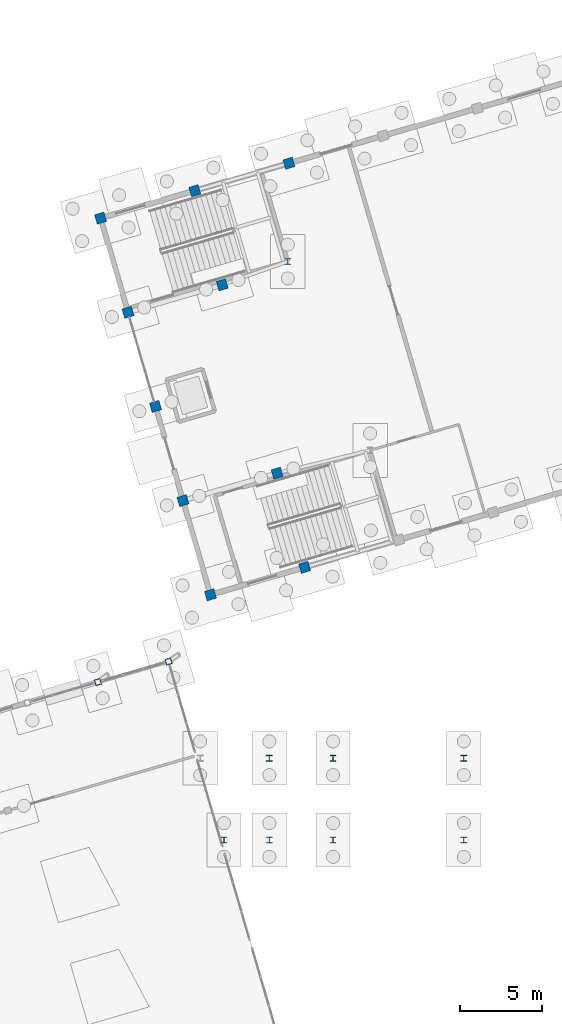
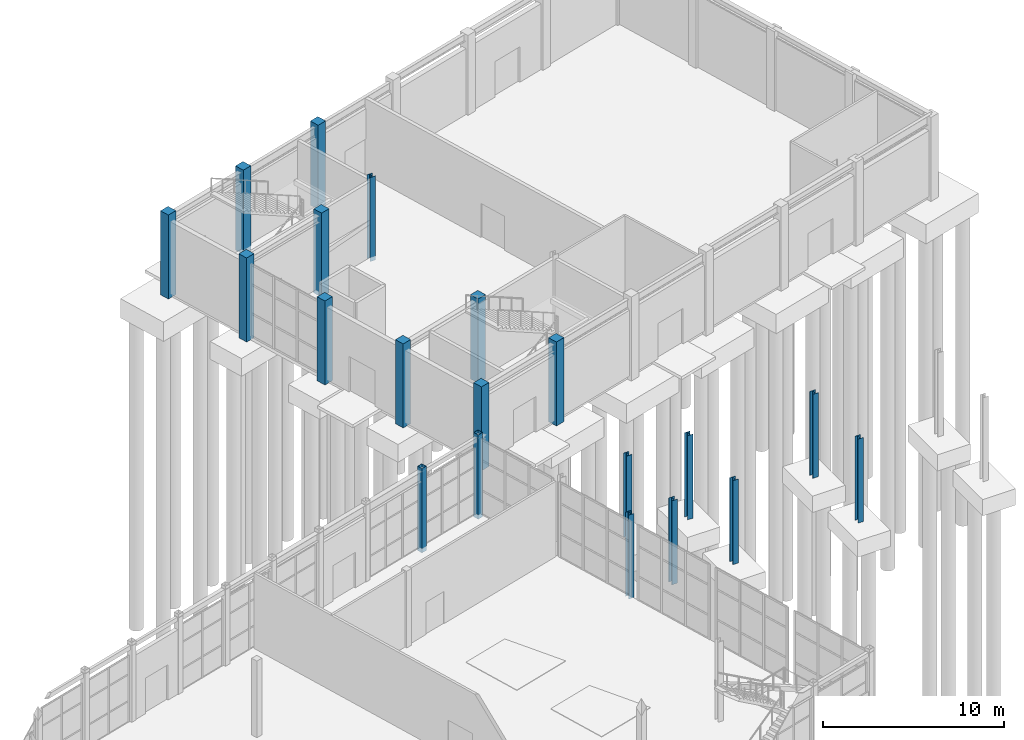
# One storey, part 13 of 90: 20 columns.
"""IFC4 building model written with IfcOpenShell, lengths in metres."""

import ifcopenshell
import ifcopenshell.guid

model = None  # the IFC model being written
_history = None  # IfcOwnerHistory: only IFC2X3 demands one
_inside = {}  # id of a spatial element -> (the spatial element, [elements in it])
_under = {}  # id of a project, library or spatial element -> (it, [spatial elements below it])
_declared = {}  # id of a project -> (the project, [libraries it declares])
_typed = {}  # id of a type object -> (the type object, [elements of that type])
_made_of = {}  # id of a material, layer set ... -> (it, [elements and type objects made of it])


def new_model(schema):
    """Start an empty IFC model of exactly this schema.

    Asked for "IFC4X3", IfcOpenShell would pick the latest addendum, in which some entities
    have other attributes; the version numbers below select the first issue.
    IFC2X3 requires an IfcOwnerHistory on every rooted entity: one is made here for all.
    """
    global model, _history
    if schema == "IFC4X3":
        model = ifcopenshell.file(schema_version=(4, 3, 0, 0))
    else:
        model = ifcopenshell.file(schema=schema)
    _inside.clear()
    _under.clear()
    _declared.clear()
    _typed.clear()
    _made_of.clear()
    _history = None
    if model.schema == "IFC2X3":
        org = make("IfcOrganization", Name="unknown")
        user = make(
            "IfcPersonAndOrganization",
            ThePerson=make("IfcPerson", FamilyName="unknown"),
            TheOrganization=org,
        )
        app = make(
            "IfcApplication",
            ApplicationDeveloper=org,
            Version="unknown",
            ApplicationFullName="unknown",
            ApplicationIdentifier="unknown",
        )
        _history = make(
            "IfcOwnerHistory",
            OwningUser=user,
            OwningApplication=app,
            ChangeAction="ADDED",
            CreationDate=0,
        )
    return model


def make(cls, **values):
    """One entity of the class cls with the attributes given. An attribute that is None is left unset."""
    return model.create_entity(
        cls, **{name: value for name, value in values.items() if value is not None}
    )


def rooted(cls, **values):
    """An entity with a GlobalId (a new one), such as an element, a storey or a relation."""
    return make(cls, GlobalId=ifcopenshell.guid.new(), OwnerHistory=_history, **values)


def si_unit(unit_type, name, prefix=None):
    """IfcSIUnit, for example si_unit("LENGTHUNIT", "METRE", prefix="MILLI")."""
    return make("IfcSIUnit", UnitType=unit_type, Prefix=prefix, Name=name)


def assignment(units):
    """IfcUnitAssignment: the units of a project."""
    return None if units is None else make("IfcUnitAssignment", Units=units)


def point(xyz):
    """IfcCartesianPoint."""
    return None if xyz is None else make("IfcCartesianPoint", Coordinates=xyz)


def direction(xyz):
    """IfcDirection."""
    return None if xyz is None else make("IfcDirection", DirectionRatios=xyz)


def frame(location, z_axis=None, x_axis=None):
    """IfcAxis2Placement3D, a coordinate frame: its origin and axes. An axis left out is left unset."""
    return make(
        "IfcAxis2Placement3D",
        Location=point(location),
        Axis=direction(z_axis),
        RefDirection=direction(x_axis),
    )


def frame_2d(location, x_axis=None):
    """IfcAxis2Placement2D, a coordinate frame in the plane: its origin and x axis."""
    return make(
        "IfcAxis2Placement2D", Location=point(location), RefDirection=direction(x_axis)
    )


def origin():
    """The frame at (0, 0, 0) with its axes left unset."""
    return frame((0.0, 0.0, 0.0))


def origin_2d():
    """The frame at (0, 0) in the plane with its x axis left unset."""
    return frame_2d((0.0, 0.0))


def place(relative_to, where):
    """IfcLocalPlacement: puts the frame where relative to a parent placement (None: the world)."""
    return make(
        "IfcLocalPlacement", PlacementRelTo=relative_to, RelativePlacement=where
    )


def context(
    kind, dimensions, precision=None, world=None, true_north=None, identifier=None
):
    """IfcGeometricRepresentationContext, for example the 3D "Model" context."""
    return make(
        "IfcGeometricRepresentationContext",
        ContextIdentifier=identifier,
        ContextType=kind,
        CoordinateSpaceDimension=dimensions,
        Precision=precision,
        WorldCoordinateSystem=world,
        TrueNorth=true_north,
    )


def subcontext(parent, identifier, kind, view, scale=None):
    """IfcGeometricRepresentationSubContext, for example "Body" below "Model"."""
    return make(
        "IfcGeometricRepresentationSubContext",
        ContextIdentifier=identifier,
        ContextType=kind,
        ParentContext=parent,
        TargetScale=scale,
        TargetView=view,
    )


def project(units=None, contexts=None):
    """IfcProject with its units and contexts."""
    return rooted(
        "IfcProject",
        Name="project",
        RepresentationContexts=contexts,
        UnitsInContext=assignment(units),
    )


def spatial(cls, under=None, at=None, **own):
    """A site, building, storey or space (cls), placed at a placement, below another one or the project."""
    s = rooted(cls, ObjectPlacement=at, **own)
    if under is not None:
        _under.setdefault(under.id(), (under, []))[1].append(s)
    return s


def profile(cls, at=None, kind="AREA", **sizes):
    """A parametric profile (cls). Its sizes go by their IFC names, for example OverallWidth=200.0."""
    return make(cls, ProfileType=kind, Position=at, **sizes)


def rectangle(**sizes):
    """IfcRectangleProfileDef."""
    return profile("IfcRectangleProfileDef", **sizes)


def hollow_rectangle(**sizes):
    """IfcRectangleHollowProfileDef."""
    return profile("IfcRectangleHollowProfileDef", **sizes)


def i_section(**sizes):
    """IfcIShapeProfileDef."""
    return profile("IfcIShapeProfileDef", **sizes)


def extrude(swept, where, along, depth):
    """IfcExtrudedAreaSolid: the profile swept, set in the frame where, extruded along a direction by depth."""
    return make(
        "IfcExtrudedAreaSolid",
        SweptArea=swept,
        Position=where,
        ExtrudedDirection=direction(along),
        Depth=depth,
    )


def shape(context_of_items, identifier, shape_type, items):
    """IfcShapeRepresentation: the items that make up one representation, for example the "Body"."""
    return make(
        "IfcShapeRepresentation",
        ContextOfItems=context_of_items,
        RepresentationIdentifier=identifier,
        RepresentationType=shape_type,
        Items=items,
    )


def material(Name=None, Category=None):
    """IfcMaterial."""
    return make("IfcMaterial", Name=Name, Category=Category)


def material_profile(
    of_material, cross_section, Name=None, Category=None, Priority=None
):
    """IfcMaterialProfile: a cross section and its material."""
    return make(
        "IfcMaterialProfile",
        Name=Name,
        Material=of_material,
        Profile=cross_section,
        Priority=Priority,
        Category=Category,
    )


def profile_set(profiles, Name=None, composite=None):
    """IfcMaterialProfileSet."""
    return make(
        "IfcMaterialProfileSet",
        Name=Name,
        MaterialProfiles=profiles,
        CompositeProfile=composite,
    )


def made_of(thing, what):
    """Note that an element or type object is made of a material, layer set ...; save() writes the relation."""
    if what is not None:
        _made_of.setdefault(what.id(), (what, []))[1].append(thing)
    return thing


def type_object(cls, material=None, **own):
    """A type object (cls), such as IfcWallType, which elements share."""
    return made_of(rooted(cls, **own), material)


def element(
    cls,
    number,
    at=None,
    inside=None,
    cuts=None,
    type_object=None,
    material=None,
    context=None,
    identifier="Body",
    shape_type=None,
    held_by="IfcProductDefinitionShape",
    body=None,
    shapes=None,
    **own,
):
    """One element of the class cls, such as IfcWall. Its Tag is "e" and its number.

    at: its placement. inside: the storey or other place that contains it. cuts: it is an
    opening in that element (IfcRelVoidsElement). A single representation is given by context,
    identifier, shape_type and body (its items); several are given by shapes. held_by: the class
    of the entity that holds the representations. save() writes the other relations.
    """
    e = rooted(cls, Tag="e%d" % number, ObjectPlacement=at, **own)
    if body is not None:
        shapes = [shape(context, identifier, shape_type, body)]
    if shapes is not None:
        e.Representation = make(held_by, Representations=shapes)
    if inside is not None:
        _inside.setdefault(inside.id(), (inside, []))[1].append(e)
    if cuts is not None:
        rooted(
            "IfcRelVoidsElement", RelatingBuildingElement=cuts, RelatedOpeningElement=e
        )
    if type_object is not None:
        _typed.setdefault(type_object.id(), (type_object, []))[1].append(e)
    return made_of(e, material)


def aggregate(whole, parts):
    """IfcRelAggregates: a whole, such as a stair, and the parts it consists of."""
    return rooted("IfcRelAggregates", RelatingObject=whole, RelatedObjects=parts)


def save(model, path):
    """Write the relations noted so far, then the file.

    IfcRelAggregates (storeys below a building ...), IfcRelContainedInSpatialStructure (elements
    in a storey), IfcRelDefinesByType, IfcRelAssociatesMaterial and IfcRelDeclares: one each for
    every whole, place, type object, material and project.
    """
    for whole, parts in _under.values():
        aggregate(whole, parts)
    for where, things in _inside.values():
        rooted(
            "IfcRelContainedInSpatialStructure",
            RelatedElements=things,
            RelatingStructure=where,
        )
    for kind, things in _typed.values():
        rooted("IfcRelDefinesByType", RelatedObjects=things, RelatingType=kind)
    for what, things in _made_of.values():
        rooted("IfcRelAssociatesMaterial", RelatedObjects=things, RelatingMaterial=what)
    for by, libraries in _declared.values():
        rooted("IfcRelDeclares", RelatingContext=by, RelatedDefinitions=libraries)
    model.write(path)


model = new_model("IFC4")

# Units and contexts
model_context = context("Model", 3, precision=1e-05, world=origin(), true_north=direction((0.0, 1.0)))
body_context = subcontext(model_context, "Body", "Model", "MODEL_VIEW")
ifc_project = project(units=[si_unit("LENGTHUNIT", "METRE"), si_unit("AREAUNIT", "SQUARE_METRE"), si_unit("VOLUMEUNIT", "CUBIC_METRE"), si_unit("PLANEANGLEUNIT", "RADIAN"), si_unit("MASSUNIT", "GRAM", prefix="KILO")], contexts=[model_context])

# Site, building, storey
site_placement = place(None, origin())
site = spatial("IfcSite", under=ifc_project, at=site_placement, CompositionType="ELEMENT")
building_placement = place(site_placement, origin())
building = spatial("IfcBuilding", under=site, at=building_placement, Name="Canggui Botanical Conservatory", CompositionType="ELEMENT")
storey_placement = place(building_placement, origin())
storey = spatial("IfcBuildingStorey", under=building, at=storey_placement, Name="L01", CompositionType="ELEMENT", Elevation=0.0)

# Columns
ifc_material_1 = material(Name="Steel Q355C", Category="steel")
ifc_material_profile_1 = material_profile(ifc_material_1, hollow_rectangle(XDim=0.35009765625, YDim=0.35009765625, WallThickness=0.011962890625, at=origin_2d()), Name="SHS 350x350x12")
ifc_profile_set_1 = profile_set([ifc_material_profile_1], Name="Steel Q355C")
column_type_1 = type_object("IfcColumnType", Name="COL-GZ01", PredefinedType="COLUMN", material=ifc_profile_set_1)
for number, where, z_axis, x_axis, name in (
    (1, (59.1201171875, 84.659912109375, -0.300048828125), (0.0, 0.0, 1.0), (0.960000000041, 0.279999999861, 0.0), "Conservatory Perimeter Steel Column L01 R14-V1"),
    (2, (63.43994140625, 85.919921875, -0.300048828125), (0.0, 0.0, 1.0), (0.960000000041, 0.279999999861, 0.0), "Conservatory Perimeter Steel Column L01 R15-V1"),
):
    element("IfcColumn", number, at=place(storey_placement, frame(where, z_axis=z_axis, x_axis=x_axis)), inside=storey, type_object=column_type_1, Name=name, PredefinedType="COLUMN", context=body_context, shape_type="SweptSolid", body=[
        extrude(hollow_rectangle(XDim=0.35009765625, YDim=0.35009765625, WallThickness=0.011962890625, at=origin_2d()), origin(), (0.0, 0.0, 1.0), 5.699951171875),
    ])
ifc_material_2 = material(Name="Steel Q355B", Category="steel")
ifc_material_profile_2 = material_profile(ifc_material_2, i_section(OverallWidth=0.35009765625, OverallDepth=0.35009765625, WebThickness=0.011962890625, FlangeThickness=0.01904296875, FilletRadius=0.02001953125, at=origin_2d()), Name="HW 350x350x12x19")
ifc_profile_set_2 = profile_set([ifc_material_profile_2], Name="Steel Q355B")
column_type_2 = type_object("IfcColumnType", Name="COL-GZ04", PredefinedType="COLUMN", material=ifc_profile_set_2)
for number, where, z_axis, x_axis, name in (
    (3, (73.5, 75.0, -0.280029296875), (0.0, 0.0, 1.0), (1.0, 0.0, 0.0), "Skybridge Portal Steel Column (73.5,75)"),
    (4, (73.5, 80.0, -0.280029296875), (0.0, 0.0, 1.0), (1.0, 0.0, 0.0), "Skybridge Portal Steel Column (73.5,80)"),
    (5, (81.5, 75.0, -0.280029296875), (0.0, 0.0, 1.0), (1.0, 0.0, 0.0), "Skybridge Portal Steel Column (81.5,75)"),
    (6, (81.5, 80.0, -0.280029296875), (0.0, 0.0, 1.0), (1.0, 0.0, 0.0), "Skybridge Portal Steel Column (81.5,80)"),
    (7, (66.830078125, 75.0, -0.280029296875), (0.0, 0.0, 1.0), (1.0, 0.0, 0.0), "Skybridge Portal Steel Column (66.83,75)"),
    (8, (69.60009765625, 75.0, -0.280029296875), (0.0, 0.0, 1.0), (1.0, 0.0, 0.0), "Skybridge Portal Steel Column (69.6,75)"),
    (9, (69.60009765625, 80.0, -0.280029296875), (0.0, 0.0, 1.0), (1.0, 0.0, 0.0), "Skybridge Portal Steel Column (69.6,80)"),
    (10, (70.72998046875, 110.389892578125, -0.280029296875), (0.0, 0.0, 1.0), (1.0, 0.0, 0.0), "Skybridge Portal Steel Column (70.73,110.39)"),
):
    element("IfcColumn", number, at=place(storey_placement, frame(where, z_axis=z_axis, x_axis=x_axis)), inside=storey, type_object=column_type_2, Name=name, PredefinedType="COLUMN", context=body_context, shape_type="SweptSolid", body=[
        extrude(i_section(OverallWidth=0.35009765625, OverallDepth=0.35009765625, WebThickness=0.011962890625, FlangeThickness=0.01904296875, FilletRadius=0.02001953125, at=origin_2d()), origin(), (0.0, 0.0, 1.0), 5.679931640625),
    ])
ifc_material_3 = material(Name="Concrete C35", Category="concrete")
ifc_material_profile_3 = material_profile(ifc_material_3, rectangle(XDim=0.60009765625, YDim=0.60009765625, at=origin_2d()), Name="RC 600x600")
ifc_profile_set_3 = profile_set([ifc_material_profile_3], Name="Concrete C35")
column_type_3 = type_object("IfcColumnType", Name="COL-KZ11", PredefinedType="COLUMN", material=ifc_profile_set_3)
for number, where, z_axis, x_axis, name in (
    (11, (66.0, 90.0, -0.280029296875), (0.0, 0.0, 1.0), (0.960000000041, 0.279999999861, 0.0), "Auditorium Column L01-01"),
    (12, (59.280029296875, 113.0400390625, -0.280029296875), (0.0, 0.0, 1.0), (0.960000000041, 0.279999999861, 0.0), "Auditorium Column L01-02"),
    (13, (71.760009765625, 91.679931640625, -0.280029296875), (0.0, 0.0, 1.0), (0.960000000041, 0.279999999861, 0.0), "Auditorium Column L01-03"),
    (14, (65.0400390625, 114.719970703125, -0.280029296875), (0.0, 0.0, 1.0), (0.960000000041, 0.279999999861, 0.0), "Auditorium Column L01-04"),
    (15, (70.800048828125, 116.39990234375, -0.280029296875), (0.0, 0.0, 1.0), (0.960000000041, 0.279999999861, 0.0), "Auditorium Column L01-06"),
    (16, (64.320068359375, 95.760009765625, -0.280029296875), (0.0, 0.0, 1.0), (0.960000000041, 0.279999999861, 0.0), "Auditorium Column L01-15"),
    (17, (62.639892578125, 101.52001953125, -0.280029296875), (0.0, 0.0, 1.0), (0.960000000041, 0.279999999861, 0.0), "Auditorium Column L01-16"),
    (18, (60.9599609375, 107.280029296875, -0.280029296875), (0.0, 0.0, 1.0), (0.960000000041, 0.279999999861, 0.0), "Auditorium Column L01-17"),
    (19, (70.080078125, 97.43994140625, -0.280029296875), (0.0, 0.0, 1.0), (0.960000000041, 0.279999999861, 0.0), "Auditorium Column L01-18"),
    (20, (66.719970703125, 108.9599609375, -0.280029296875), (0.0, 0.0, 1.0), (0.960000000041, 0.279999999861, 0.0), "Auditorium Column L01-19"),
):
    element("IfcColumn", number, at=place(storey_placement, frame(where, z_axis=z_axis, x_axis=x_axis)), inside=storey, type_object=column_type_3, Name=name, PredefinedType="COLUMN", context=body_context, shape_type="SweptSolid", body=[
        extrude(rectangle(XDim=0.60009765625, YDim=0.60009765625, at=origin_2d()), origin(), (0.0, 0.0, 1.0), 5.679931640625),
    ])

save(model, "model.ifc")
